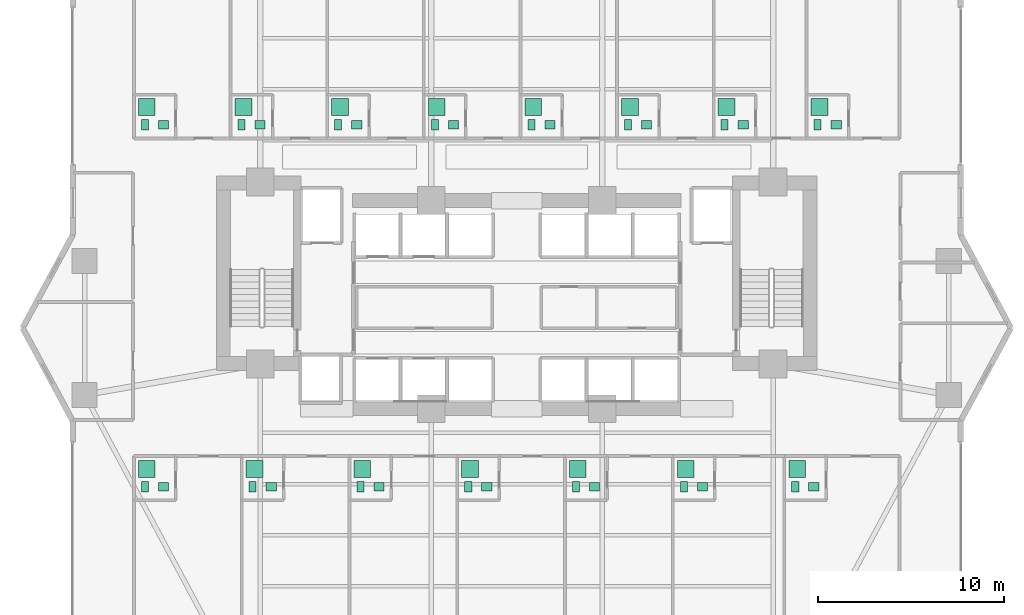
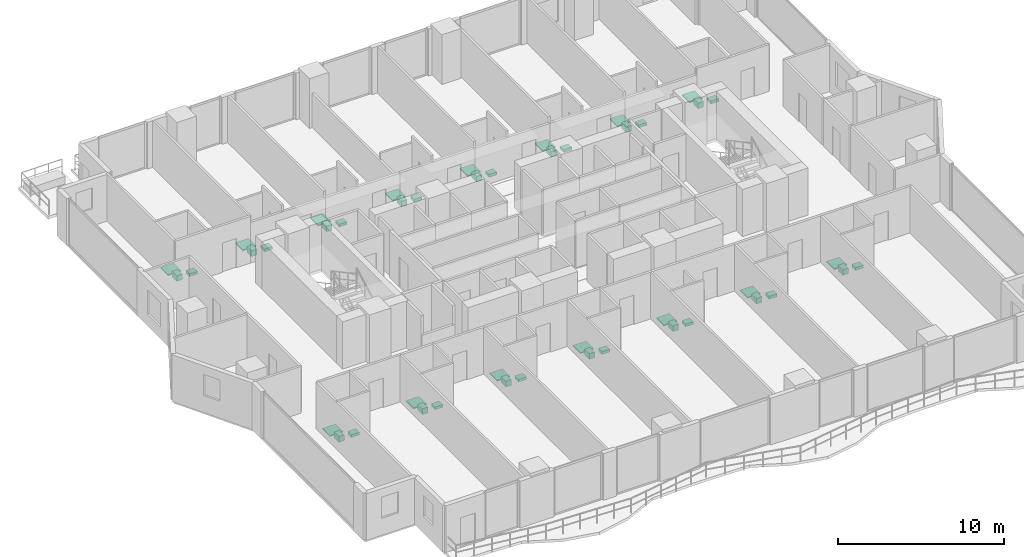
# One storey, part 29 of 29: 45 sanitary terminals.
"""IFC4 building model written with IfcOpenShell, lengths in metres."""

import ifcopenshell
import ifcopenshell.guid

model = None  # the IFC model being written
_history = None  # IfcOwnerHistory: only IFC2X3 demands one
_inside = {}  # id of a spatial element -> (the spatial element, [elements in it])
_under = {}  # id of a project, library or spatial element -> (it, [spatial elements below it])
_declared = {}  # id of a project -> (the project, [libraries it declares])
_typed = {}  # id of a type object -> (the type object, [elements of that type])
_made_of = {}  # id of a material, layer set ... -> (it, [elements and type objects made of it])


def new_model(schema):
    """Start an empty IFC model of exactly this schema.

    Asked for "IFC4X3", IfcOpenShell would pick the latest addendum, in which some entities
    have other attributes; the version numbers below select the first issue.
    IFC2X3 requires an IfcOwnerHistory on every rooted entity: one is made here for all.
    """
    global model, _history
    if schema == "IFC4X3":
        model = ifcopenshell.file(schema_version=(4, 3, 0, 0))
    else:
        model = ifcopenshell.file(schema=schema)
    _inside.clear()
    _under.clear()
    _declared.clear()
    _typed.clear()
    _made_of.clear()
    _history = None
    if model.schema == "IFC2X3":
        org = make("IfcOrganization", Name="unknown")
        user = make(
            "IfcPersonAndOrganization",
            ThePerson=make("IfcPerson", FamilyName="unknown"),
            TheOrganization=org,
        )
        app = make(
            "IfcApplication",
            ApplicationDeveloper=org,
            Version="unknown",
            ApplicationFullName="unknown",
            ApplicationIdentifier="unknown",
        )
        _history = make(
            "IfcOwnerHistory",
            OwningUser=user,
            OwningApplication=app,
            ChangeAction="ADDED",
            CreationDate=0,
        )
    return model


def make(cls, **values):
    """One entity of the class cls with the attributes given. An attribute that is None is left unset."""
    return model.create_entity(
        cls, **{name: value for name, value in values.items() if value is not None}
    )


def rooted(cls, **values):
    """An entity with a GlobalId (a new one), such as an element, a storey or a relation."""
    return make(cls, GlobalId=ifcopenshell.guid.new(), OwnerHistory=_history, **values)


def si_unit(unit_type, name, prefix=None):
    """IfcSIUnit, for example si_unit("LENGTHUNIT", "METRE", prefix="MILLI")."""
    return make("IfcSIUnit", UnitType=unit_type, Prefix=prefix, Name=name)


def assignment(units):
    """IfcUnitAssignment: the units of a project."""
    return None if units is None else make("IfcUnitAssignment", Units=units)


def point(xyz):
    """IfcCartesianPoint."""
    return None if xyz is None else make("IfcCartesianPoint", Coordinates=xyz)


def direction(xyz):
    """IfcDirection."""
    return None if xyz is None else make("IfcDirection", DirectionRatios=xyz)


def frame(location, z_axis=None, x_axis=None):
    """IfcAxis2Placement3D, a coordinate frame: its origin and axes. An axis left out is left unset."""
    return make(
        "IfcAxis2Placement3D",
        Location=point(location),
        Axis=direction(z_axis),
        RefDirection=direction(x_axis),
    )


def frame_2d(location, x_axis=None):
    """IfcAxis2Placement2D, a coordinate frame in the plane: its origin and x axis."""
    return make(
        "IfcAxis2Placement2D", Location=point(location), RefDirection=direction(x_axis)
    )


def origin():
    """The frame at (0, 0, 0) with its axes left unset."""
    return frame((0.0, 0.0, 0.0))


def origin_2d():
    """The frame at (0, 0) in the plane with its x axis left unset."""
    return frame_2d((0.0, 0.0))


def place(relative_to, where):
    """IfcLocalPlacement: puts the frame where relative to a parent placement (None: the world)."""
    return make(
        "IfcLocalPlacement", PlacementRelTo=relative_to, RelativePlacement=where
    )


def context(
    kind, dimensions, precision=None, world=None, true_north=None, identifier=None
):
    """IfcGeometricRepresentationContext, for example the 3D "Model" context."""
    return make(
        "IfcGeometricRepresentationContext",
        ContextIdentifier=identifier,
        ContextType=kind,
        CoordinateSpaceDimension=dimensions,
        Precision=precision,
        WorldCoordinateSystem=world,
        TrueNorth=true_north,
    )


def subcontext(parent, identifier, kind, view, scale=None):
    """IfcGeometricRepresentationSubContext, for example "Body" below "Model"."""
    return make(
        "IfcGeometricRepresentationSubContext",
        ContextIdentifier=identifier,
        ContextType=kind,
        ParentContext=parent,
        TargetScale=scale,
        TargetView=view,
    )


def project(units=None, contexts=None):
    """IfcProject with its units and contexts."""
    return rooted(
        "IfcProject",
        Name="project",
        RepresentationContexts=contexts,
        UnitsInContext=assignment(units),
    )


def spatial(cls, under=None, at=None, **own):
    """A site, building, storey or space (cls), placed at a placement, below another one or the project."""
    s = rooted(cls, ObjectPlacement=at, **own)
    if under is not None:
        _under.setdefault(under.id(), (under, []))[1].append(s)
    return s


def profile(cls, at=None, kind="AREA", **sizes):
    """A parametric profile (cls). Its sizes go by their IFC names, for example OverallWidth=200.0."""
    return make(cls, ProfileType=kind, Position=at, **sizes)


def rectangle(**sizes):
    """IfcRectangleProfileDef."""
    return profile("IfcRectangleProfileDef", **sizes)


def extrude(swept, where, along, depth):
    """IfcExtrudedAreaSolid: the profile swept, set in the frame where, extruded along a direction by depth."""
    return make(
        "IfcExtrudedAreaSolid",
        SweptArea=swept,
        Position=where,
        ExtrudedDirection=direction(along),
        Depth=depth,
    )


def shape(context_of_items, identifier, shape_type, items):
    """IfcShapeRepresentation: the items that make up one representation, for example the "Body"."""
    return make(
        "IfcShapeRepresentation",
        ContextOfItems=context_of_items,
        RepresentationIdentifier=identifier,
        RepresentationType=shape_type,
        Items=items,
    )


def material(Name=None, Category=None):
    """IfcMaterial."""
    return make("IfcMaterial", Name=Name, Category=Category)


def made_of(thing, what):
    """Note that an element or type object is made of a material, layer set ...; save() writes the relation."""
    if what is not None:
        _made_of.setdefault(what.id(), (what, []))[1].append(thing)
    return thing


def type_object(cls, material=None, **own):
    """A type object (cls), such as IfcWallType, which elements share."""
    return made_of(rooted(cls, **own), material)


def element(
    cls,
    number,
    at=None,
    inside=None,
    cuts=None,
    type_object=None,
    material=None,
    context=None,
    identifier="Body",
    shape_type=None,
    held_by="IfcProductDefinitionShape",
    body=None,
    shapes=None,
    **own,
):
    """One element of the class cls, such as IfcWall. Its Tag is "e" and its number.

    at: its placement. inside: the storey or other place that contains it. cuts: it is an
    opening in that element (IfcRelVoidsElement). A single representation is given by context,
    identifier, shape_type and body (its items); several are given by shapes. held_by: the class
    of the entity that holds the representations. save() writes the other relations.
    """
    e = rooted(cls, Tag="e%d" % number, ObjectPlacement=at, **own)
    if body is not None:
        shapes = [shape(context, identifier, shape_type, body)]
    if shapes is not None:
        e.Representation = make(held_by, Representations=shapes)
    if inside is not None:
        _inside.setdefault(inside.id(), (inside, []))[1].append(e)
    if cuts is not None:
        rooted(
            "IfcRelVoidsElement", RelatingBuildingElement=cuts, RelatedOpeningElement=e
        )
    if type_object is not None:
        _typed.setdefault(type_object.id(), (type_object, []))[1].append(e)
    return made_of(e, material)


def aggregate(whole, parts):
    """IfcRelAggregates: a whole, such as a stair, and the parts it consists of."""
    return rooted("IfcRelAggregates", RelatingObject=whole, RelatedObjects=parts)


def save(model, path):
    """Write the relations noted so far, then the file.

    IfcRelAggregates (storeys below a building ...), IfcRelContainedInSpatialStructure (elements
    in a storey), IfcRelDefinesByType, IfcRelAssociatesMaterial and IfcRelDeclares: one each for
    every whole, place, type object, material and project.
    """
    for whole, parts in _under.values():
        aggregate(whole, parts)
    for where, things in _inside.values():
        rooted(
            "IfcRelContainedInSpatialStructure",
            RelatedElements=things,
            RelatingStructure=where,
        )
    for kind, things in _typed.values():
        rooted("IfcRelDefinesByType", RelatedObjects=things, RelatingType=kind)
    for what, things in _made_of.values():
        rooted("IfcRelAssociatesMaterial", RelatedObjects=things, RelatingMaterial=what)
    for by, libraries in _declared.values():
        rooted("IfcRelDeclares", RelatingContext=by, RelatedDefinitions=libraries)
    model.write(path)


model = new_model("IFC4")

# Units and contexts
model_context = context("Model", 3, precision=1e-05, world=origin(), true_north=direction((0.0, 1.0)))
body_context = subcontext(model_context, "Body", "Model", "MODEL_VIEW")
ifc_project = project(units=[si_unit("LENGTHUNIT", "METRE"), si_unit("AREAUNIT", "SQUARE_METRE"), si_unit("VOLUMEUNIT", "CUBIC_METRE"), si_unit("PLANEANGLEUNIT", "RADIAN"), si_unit("MASSUNIT", "GRAM", prefix="KILO")], contexts=[model_context])

# Site, building, storey
site_placement = place(None, origin())
site = spatial("IfcSite", under=ifc_project, at=site_placement, CompositionType="ELEMENT")
building_placement = place(site_placement, origin())
building = spatial("IfcBuilding", under=site, at=building_placement, Name="Zuhayl Quay Hotel", CompositionType="ELEMENT")
storey_placement = place(building_placement, frame((0.0, 0.0, 150.39990234375)))
storey = spatial("IfcBuildingStorey", under=building, at=storey_placement, Name="L38", CompositionType="ELEMENT", Elevation=150.39990234375)

# Sanitary terminals
ifc_material = material(Name="Vitreous Porcelain Sanitaryware")
sanitary_terminal_type_1 = type_object("IfcSanitaryTerminalType", Name="SAN_BASIN", PredefinedType="WASHHANDBASIN", material=ifc_material)
for number, where, z_axis, x_axis, name in (
    (1, (-19.010009765625, 17.43994140625, 0.0), (0.0, 0.0, 1.0), (1.0, 0.0, 0.0), "L38 Sanitary Fixture WASHHANDBASIN"),
    (2, (-13.81005859375, 17.43994140625, 0.0), (0.0, 0.0, 1.0), (1.0, 0.0, 0.0), "L38 Sanitary Fixture WASHHANDBASIN"),
    (3, (-8.610107421875, 17.43994140625, 0.0), (0.0, 0.0, 1.0), (1.0, 0.0, 0.0), "L38 Sanitary Fixture WASHHANDBASIN"),
    (4, (-3.409912109375, 17.43994140625, 0.0), (0.0, 0.0, 1.0), (1.0, 0.0, 0.0), "L38 Sanitary Fixture WASHHANDBASIN"),
    (5, (1.7900390625, 17.43994140625, 0.0), (0.0, 0.0, 1.0), (1.0, 0.0, 0.0), "L38 Sanitary Fixture WASHHANDBASIN"),
    (6, (6.989990234375, 17.43994140625, 0.0), (0.0, 0.0, 1.0), (1.0, 0.0, 0.0), "L38 Sanitary Fixture WASHHANDBASIN"),
    (7, (12.18994140625, 17.43994140625, 0.0), (0.0, 0.0, 1.0), (1.0, 0.0, 0.0), "L38 Sanitary Fixture WASHHANDBASIN"),
    (8, (17.18994140625, 17.43994140625, 0.0), (0.0, 0.0, 1.0), (1.0, 0.0, 0.0), "L38 Sanitary Fixture WASHHANDBASIN"),
    (9, (-19.010009765625, -2.0400390625, 0.0), (0.0, 0.0, 1.0), (1.0, 0.0, 0.0), "L38 Sanitary Fixture WASHHANDBASIN"),
    (10, (-13.2099609375, -2.0400390625, 0.0), (0.0, 0.0, 1.0), (1.0, 0.0, 0.0), "L38 Sanitary Fixture WASHHANDBASIN"),
    (11, (-7.409912109375, -2.0400390625, 0.0), (0.0, 0.0, 1.0), (1.0, 0.0, 0.0), "L38 Sanitary Fixture WASHHANDBASIN"),
    (12, (-1.610107421875, -2.0400390625, 0.0), (0.0, 0.0, 1.0), (1.0, 0.0, 0.0), "L38 Sanitary Fixture WASHHANDBASIN"),
    (13, (4.18994140625, -2.0400390625, 0.0), (0.0, 0.0, 1.0), (1.0, 0.0, 0.0), "L38 Sanitary Fixture WASHHANDBASIN"),
    (14, (9.989990234375, -2.0400390625, 0.0), (0.0, 0.0, 1.0), (1.0, 0.0, 0.0), "L38 Sanitary Fixture WASHHANDBASIN"),
    (15, (15.989990234375, -2.0400390625, 0.0), (0.0, 0.0, 1.0), (1.0, 0.0, 0.0), "L38 Sanitary Fixture WASHHANDBASIN"),
):
    element("IfcSanitaryTerminal", number, at=place(storey_placement, frame(where, z_axis=z_axis, x_axis=x_axis)), inside=storey, type_object=sanitary_terminal_type_1, Name=name, PredefinedType="WASHHANDBASIN", context=body_context, shape_type="SweptSolid", body=[
        extrude(rectangle(XDim=0.550048828125, YDim=0.449951171875, at=origin_2d()), origin(), (0.0, 0.0, 1.0), 0.199951171875),
    ])
sanitary_terminal_type_2 = type_object("IfcSanitaryTerminalType", Name="SAN_SHOWER", PredefinedType="SHOWER", material=ifc_material)
for number, where, z_axis, x_axis, name in (
    (16, (-19.909912109375, 18.389892578125, 0.0), (0.0, 0.0, 1.0), (1.0, 0.0, 0.0), "L38 Sanitary Fixture SHOWER"),
    (17, (-14.7099609375, 18.389892578125, 0.0), (0.0, 0.0, 1.0), (1.0, 0.0, 0.0), "L38 Sanitary Fixture SHOWER"),
    (18, (-9.510009765625, 18.389892578125, 0.0), (0.0, 0.0, 1.0), (1.0, 0.0, 0.0), "L38 Sanitary Fixture SHOWER"),
    (19, (-4.31005859375, 18.389892578125, 0.0), (0.0, 0.0, 1.0), (1.0, 0.0, 0.0), "L38 Sanitary Fixture SHOWER"),
    (20, (0.889892578125, 18.389892578125, 0.0), (0.0, 0.0, 1.0), (1.0, 0.0, 0.0), "L38 Sanitary Fixture SHOWER"),
    (21, (6.090087890625, 18.389892578125, 0.0), (0.0, 0.0, 1.0), (1.0, 0.0, 0.0), "L38 Sanitary Fixture SHOWER"),
    (22, (11.2900390625, 18.389892578125, 0.0), (0.0, 0.0, 1.0), (1.0, 0.0, 0.0), "L38 Sanitary Fixture SHOWER"),
    (23, (16.2900390625, 18.389892578125, 0.0), (0.0, 0.0, 1.0), (1.0, 0.0, 0.0), "L38 Sanitary Fixture SHOWER"),
    (24, (-19.909912109375, -1.090087890625, 0.0), (0.0, 0.0, 1.0), (1.0, 0.0, 0.0), "L38 Sanitary Fixture SHOWER"),
    (25, (-14.110107421875, -1.090087890625, 0.0), (0.0, 0.0, 1.0), (1.0, 0.0, 0.0), "L38 Sanitary Fixture SHOWER"),
    (26, (-8.31005859375, -1.090087890625, 0.0), (0.0, 0.0, 1.0), (1.0, 0.0, 0.0), "L38 Sanitary Fixture SHOWER"),
    (27, (-2.510009765625, -1.090087890625, 0.0), (0.0, 0.0, 1.0), (1.0, 0.0, 0.0), "L38 Sanitary Fixture SHOWER"),
    (28, (3.2900390625, -1.090087890625, 0.0), (0.0, 0.0, 1.0), (1.0, 0.0, 0.0), "L38 Sanitary Fixture SHOWER"),
    (29, (9.090087890625, -1.090087890625, 0.0), (0.0, 0.0, 1.0), (1.0, 0.0, 0.0), "L38 Sanitary Fixture SHOWER"),
    (30, (15.090087890625, -1.090087890625, 0.0), (0.0, 0.0, 1.0), (1.0, 0.0, 0.0), "L38 Sanitary Fixture SHOWER"),
):
    element("IfcSanitaryTerminal", number, at=place(storey_placement, frame(where, z_axis=z_axis, x_axis=x_axis)), inside=storey, type_object=sanitary_terminal_type_2, Name=name, PredefinedType="SHOWER", context=body_context, shape_type="SweptSolid", body=[
        extrude(rectangle(XDim=0.89990234375, YDim=0.89990234375, at=origin_2d()), origin(), (0.0, 0.0, 1.0), 0.080078125),
    ])
sanitary_terminal_type_3 = type_object("IfcSanitaryTerminalType", Name="SAN_WC", PredefinedType="TOILETPAN", material=ifc_material)
for number, where, z_axis, x_axis, name in (
    (31, (-20.010009765625, 17.43994140625, 0.000244140625), (0.0, 0.0, 1.0), (1.0, 0.0, 0.0), "L38 Sanitary Fixture TOILETPAN"),
    (32, (-14.81005859375, 17.43994140625, 0.000244140625), (0.0, 0.0, 1.0), (1.0, 0.0, 0.0), "L38 Sanitary Fixture TOILETPAN"),
    (33, (-9.610107421875, 17.43994140625, 0.000244140625), (0.0, 0.0, 1.0), (1.0, 0.0, 0.0), "L38 Sanitary Fixture TOILETPAN"),
    (34, (-4.409912109375, 17.43994140625, 0.000244140625), (0.0, 0.0, 1.0), (1.0, 0.0, 0.0), "L38 Sanitary Fixture TOILETPAN"),
    (35, (0.7900390625, 17.43994140625, 0.000244140625), (0.0, 0.0, 1.0), (1.0, 0.0, 0.0), "L38 Sanitary Fixture TOILETPAN"),
    (36, (5.989990234375, 17.43994140625, 0.000244140625), (0.0, 0.0, 1.0), (1.0, 0.0, 0.0), "L38 Sanitary Fixture TOILETPAN"),
    (37, (11.18994140625, 17.43994140625, 0.000244140625), (0.0, 0.0, 1.0), (1.0, 0.0, 0.0), "L38 Sanitary Fixture TOILETPAN"),
    (38, (16.18994140625, 17.43994140625, 0.000244140625), (0.0, 0.0, 1.0), (1.0, 0.0, 0.0), "L38 Sanitary Fixture TOILETPAN"),
    (39, (-20.010009765625, -2.0400390625, 0.000244140625), (0.0, 0.0, 1.0), (1.0, 0.0, 0.0), "L38 Sanitary Fixture TOILETPAN"),
    (40, (-14.2099609375, -2.0400390625, 0.000244140625), (0.0, 0.0, 1.0), (1.0, 0.0, 0.0), "L38 Sanitary Fixture TOILETPAN"),
    (41, (-8.409912109375, -2.0400390625, 0.000244140625), (0.0, 0.0, 1.0), (1.0, 0.0, 0.0), "L38 Sanitary Fixture TOILETPAN"),
    (42, (-2.610107421875, -2.0400390625, 0.000244140625), (0.0, 0.0, 1.0), (1.0, 0.0, 0.0), "L38 Sanitary Fixture TOILETPAN"),
    (43, (3.18994140625, -2.0400390625, 0.000244140625), (0.0, 0.0, 1.0), (1.0, 0.0, 0.0), "L38 Sanitary Fixture TOILETPAN"),
    (44, (8.989990234375, -2.0400390625, 0.000244140625), (0.0, 0.0, 1.0), (1.0, 0.0, 0.0), "L38 Sanitary Fixture TOILETPAN"),
    (45, (14.989990234375, -2.0400390625, 0.000244140625), (0.0, 0.0, 1.0), (1.0, 0.0, 0.0), "L38 Sanitary Fixture TOILETPAN"),
):
    element("IfcSanitaryTerminal", number, at=place(storey_placement, frame(where, z_axis=z_axis, x_axis=x_axis)), inside=storey, type_object=sanitary_terminal_type_3, Name=name, PredefinedType="TOILETPAN", context=body_context, shape_type="SweptSolid", body=[
        extrude(rectangle(XDim=0.3798828125, YDim=0.56005859375, at=origin_2d()), origin(), (0.0, 0.0, 1.0), 0.419921875),
    ])

save(model, "model.ifc")
